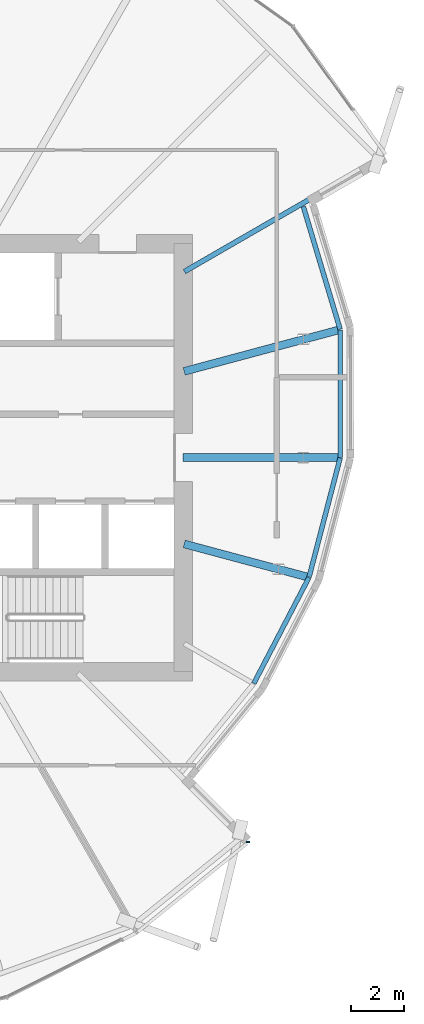
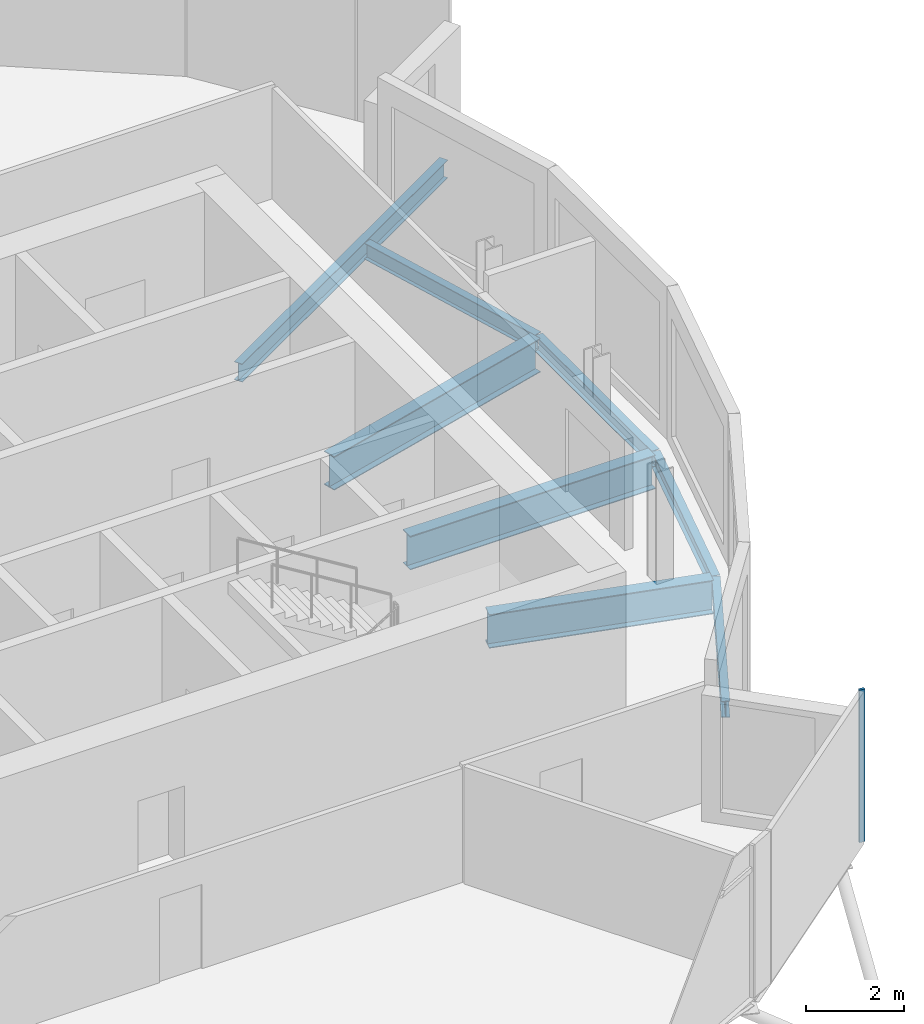
# One storey, part 16 of 39: 8 beams, 1 member, 1 element without a shape of its own.
"""IFC4 building model written with IfcOpenShell, lengths in metres."""

from ifc_helpers import new_model, si_unit, direction, frame, origin, origin_2d, place, context, subcontext, project, spatial, rectangle, i_section, extrude, material, material_profile, profile_set, type_object, element, aggregate, save


model = new_model("IFC4")

# Units and contexts
model_context = context("Model", 3, precision=1e-05, world=origin(), true_north=direction((0.0, 1.0)))
body_context = subcontext(model_context, "Body", "Model", "MODEL_VIEW")
ifc_project = project(units=[si_unit("LENGTHUNIT", "METRE"), si_unit("AREAUNIT", "SQUARE_METRE"), si_unit("VOLUMEUNIT", "CUBIC_METRE"), si_unit("PLANEANGLEUNIT", "RADIAN"), si_unit("MASSUNIT", "GRAM", prefix="KILO")], contexts=[model_context])

# Site, building, storey
site_placement = place(None, origin())
site = spatial("IfcSite", under=ifc_project, at=site_placement, CompositionType="ELEMENT")
building_placement = place(site_placement, origin())
building = spatial("IfcBuilding", under=site, at=building_placement, Name="Rimbun Link Towers", CompositionType="ELEMENT")
storey_placement = place(building_placement, frame((0.0, 0.0, 143.0)))
storey = spatial("IfcBuildingStorey", under=building, at=storey_placement, Name="L34", CompositionType="ELEMENT", Elevation=143.0)

# Curtain wall, member
ifc_material_1 = material(Name="Aluminium 6063-T6 and low-iron glass", Category="aluminium")
curtain_wall_type = type_object("IfcCurtainWallType", Name="CW4 link block wall", PredefinedType="NOTDEFINED", material=ifc_material_1)
curtain_wall_placement = place(storey_placement, origin())
curtain_wall = element("IfcCurtainWall", 1, at=curtain_wall_placement, inside=storey, type_object=curtain_wall_type, Name="CW4 L34 T2", PredefinedType="NOTDEFINED")
ifc_material_2 = material(Name="Aluminium 6063-T6", Category="aluminium")
ifc_material_profile_1 = material_profile(ifc_material_2, rectangle(XDim=0.1201171875, YDim=0.06005859375, at=origin_2d()), Name="MULLION 60X120")
ifc_profile_set_1 = profile_set([ifc_material_profile_1], Name="Aluminium 6063-T6")
member_type = type_object("IfcMemberType", Name="CW4 mullion 60X120", PredefinedType="MULLION", material=ifc_profile_set_1)
member_placement = place(storey_placement, frame((46.17529296875, -14.368408203125, 0.0), z_axis=(0.0, 0.0, 1.0), x_axis=(0.998624088058, -0.052439782127, 0.0)))
member = element("IfcMember", 2, at=member_placement, type_object=member_type, Name="CW4 mullion", PredefinedType="MULLION", context=body_context, shape_type="SweptSolid", body=[
    extrude(rectangle(XDim=0.1201171875, YDim=0.06005859375, at=origin_2d()), origin(), (0.0, 0.0, 1.0), 3.800048828125),
])
aggregate(curtain_wall, [member])

# Beams
ifc_material_3 = material(Name="Steel S355J2", Category="steel")
ifc_material_profile_2 = material_profile(ifc_material_3, i_section(OverallWidth=0.177978515625, OverallDepth=0.406494140625, WebThickness=0.0078125, FlangeThickness=0.0126953125, at=origin_2d()), Name="UB 406x178x60")
ifc_profile_set_2 = profile_set([ifc_material_profile_2], Name="Steel S355J2")
beam_type_1 = type_object("IfcBeamType", Name="UB 406x178x60", PredefinedType="BEAM", material=ifc_profile_set_2)
beam_1_placement = place(storey_placement, frame((46.39208984375, -8.44189453125, -0.38330078125), z_axis=(0.461630243497, 0.887072442526, 0.0), x_axis=(-0.887072442526, 0.461630243497, 0.0)))
element("IfcBeam", 3, at=beam_1_placement, inside=storey, type_object=beam_type_1, Name="Edge beam T2 L34 19 recess", PredefinedType="BEAM", context=body_context, shape_type="SweptSolid", body=[
    extrude(i_section(OverallWidth=0.177978515625, OverallDepth=0.406494140625, WebThickness=0.0078125, FlangeThickness=0.0126953125, at=origin_2d()), origin(), (0.0, 0.0, 1.0), 4.45947265625),
])
beam_2_placement = place(storey_placement, frame((48.45849609375, -4.465576171875, -0.38330078125), z_axis=(0.252333363174, 0.96764036389, 0.0), x_axis=(-0.96764036389, 0.252333363174, 0.0)))
element("IfcBeam", 4, at=beam_2_placement, inside=storey, type_object=beam_type_1, Name="Edge beam T2 L34 20 recess", PredefinedType="BEAM", context=body_context, shape_type="SweptSolid", body=[
    extrude(i_section(OverallWidth=0.177978515625, OverallDepth=0.406494140625, WebThickness=0.0078125, FlangeThickness=0.0126953125, at=origin_2d()), origin(), (0.0, 0.0, 1.0), 4.6025390625),
])
beam_3_placement = place(storey_placement, frame((49.622802734375, 0.012451171875, -0.38330078125), z_axis=(0.000153783062, 0.999999988175, 0.0), x_axis=(-0.999999988175, 0.000153783062, 0.0)))
element("IfcBeam", 5, at=beam_3_placement, inside=storey, type_object=beam_type_1, Name="Edge beam T2 L34 21 recess", PredefinedType="BEAM", context=body_context, shape_type="SweptSolid", body=[
    extrude(i_section(OverallWidth=0.177978515625, OverallDepth=0.406494140625, WebThickness=0.0078125, FlangeThickness=0.0126953125, at=origin_2d()), origin(), (0.0, 0.0, 1.0), 4.7626953125),
])
beam_4_placement = place(storey_placement, frame((49.619384765625, 4.802734375, -0.38330078125), z_axis=(-0.287413384328, 0.957806633152, 0.0), x_axis=(-0.957806633152, -0.287413384328, 0.0)))
element("IfcBeam", 6, at=beam_4_placement, inside=storey, type_object=beam_type_1, Name="Edge beam T2 L34 22 recess", PredefinedType="BEAM", context=body_context, shape_type="SweptSolid", body=[
    extrude(i_section(OverallWidth=0.177978515625, OverallDepth=0.406494140625, WebThickness=0.0078125, FlangeThickness=0.0126953125, at=origin_2d()), origin(), (0.0, 0.0, 1.0), 4.787353515625),
])
ifc_material_4 = material(Name="Steel S355J2", Category="steel")
ifc_material_profile_3 = material_profile(ifc_material_4, i_section(OverallWidth=0.18994140625, OverallDepth=0.453369140625, WebThickness=0.008544921875, FlangeThickness=0.0126953125, at=origin_2d()), Name="UB 457x191x67")
ifc_profile_set_3 = profile_set([ifc_material_profile_3], Name="Steel S355J2")
beam_type_2 = type_object("IfcBeamType", Name="UB 457x191x67", PredefinedType="BEAM", material=ifc_profile_set_3)
beam_5_placement = place(storey_placement, frame((43.79833984375, 6.9560546875, -0.40673828125), z_axis=(0.866020419704, 0.500008632582, 0.0), x_axis=(-0.500008632582, 0.866020419704, 0.0)))
element("IfcBeam", 7, at=beam_5_placement, inside=storey, type_object=beam_type_2, Name="Radial beam T2 L34 23", PredefinedType="BEAM", context=body_context, shape_type="SweptSolid", body=[
    extrude(i_section(OverallWidth=0.18994140625, OverallDepth=0.453369140625, WebThickness=0.008544921875, FlangeThickness=0.0126953125, at=origin_2d()), origin(), (0.0, 0.0, 1.0), 8.393798828125),
])
ifc_material_5 = material(Name="Steel S355J2", Category="steel")
ifc_material_profile_4 = material_profile(ifc_material_5, i_section(OverallWidth=0.29248046875, OverallDepth=0.8408203125, WebThickness=0.0126953125, FlangeThickness=0.021728515625, at=origin_2d()), Name="UB 838x292x194")
ifc_profile_set_4 = profile_set([ifc_material_profile_4], Name="Steel S355J2")
beam_type_3 = type_object("IfcBeamType", Name="UB 838x292x194", PredefinedType="BEAM", material=ifc_profile_set_4)
beam_6_placement = place(storey_placement, frame((43.788818359375, -3.225830078125, -0.600341796875), z_axis=(0.965928284471, -0.258809870868, 0.0), x_axis=(0.258809870868, 0.965928284471, 0.0)))
element("IfcBeam", 8, at=beam_6_placement, inside=storey, type_object=beam_type_3, Name="Radial beam T2 L34 20", PredefinedType="BEAM", context=body_context, shape_type="SweptSolid", body=[
    extrude(i_section(OverallWidth=0.29248046875, OverallDepth=0.8408203125, WebThickness=0.0126953125, FlangeThickness=0.021728515625, at=origin_2d()), origin(), (0.0, 0.0, 1.0), 4.7412109375),
])
beam_7_placement = place(storey_placement, frame((43.7509765625, 0.0, -0.600341796875), z_axis=(1.0, 0.0, 0.0), x_axis=(0.0, 1.0, 0.0)))
element("IfcBeam", 9, at=beam_7_placement, inside=storey, type_object=beam_type_3, Name="Radial beam T2 L34 21", PredefinedType="BEAM", context=body_context, shape_type="SweptSolid", body=[
    extrude(i_section(OverallWidth=0.29248046875, OverallDepth=0.8408203125, WebThickness=0.0126953125, FlangeThickness=0.021728515625, at=origin_2d()), origin(), (0.0, 0.0, 1.0), 5.78125),
])
beam_8_placement = place(storey_placement, frame((43.788818359375, 3.225830078125, -0.600341796875), z_axis=(0.96592369199, 0.258827010283, 0.0), x_axis=(-0.258827010283, 0.96592369199, 0.0)))
element("IfcBeam", 10, at=beam_8_placement, inside=storey, type_object=beam_type_3, Name="Radial beam T2 L34 22", PredefinedType="BEAM", context=body_context, shape_type="SweptSolid", body=[
    extrude(i_section(OverallWidth=0.29248046875, OverallDepth=0.8408203125, WebThickness=0.0126953125, FlangeThickness=0.021728515625, at=origin_2d()), origin(), (0.0, 0.0, 1.0), 5.949951171875),
])

save(model, "model.ifc")
